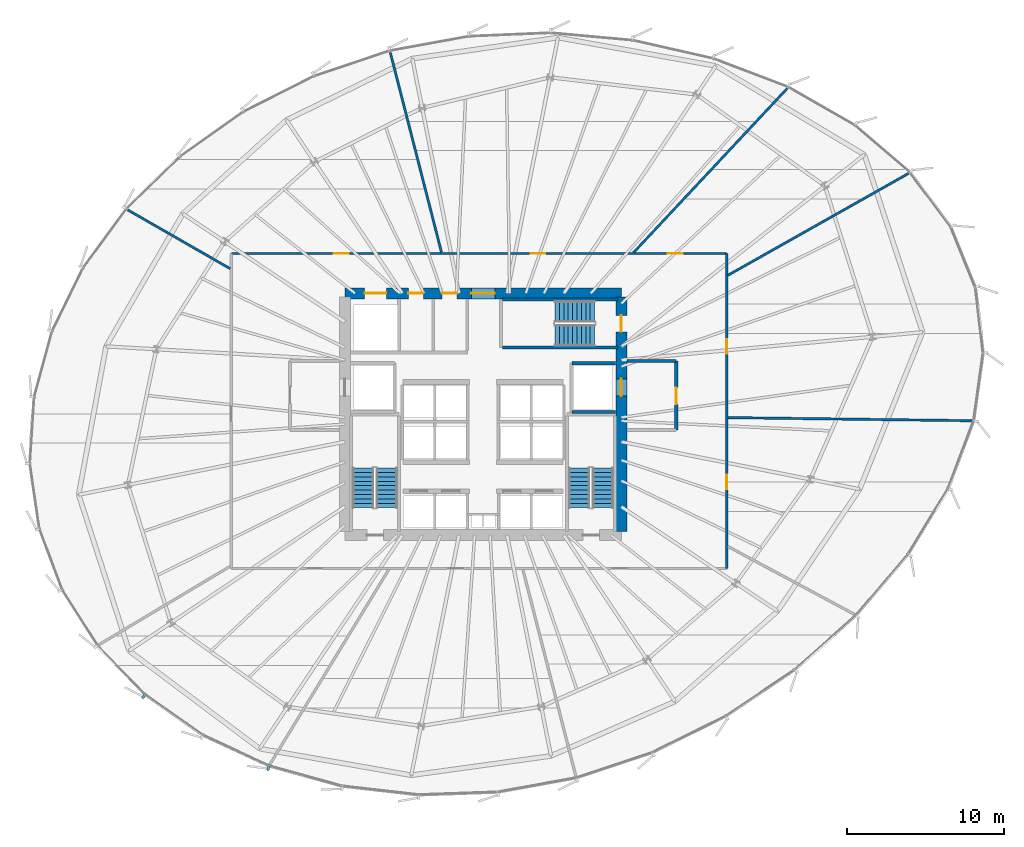
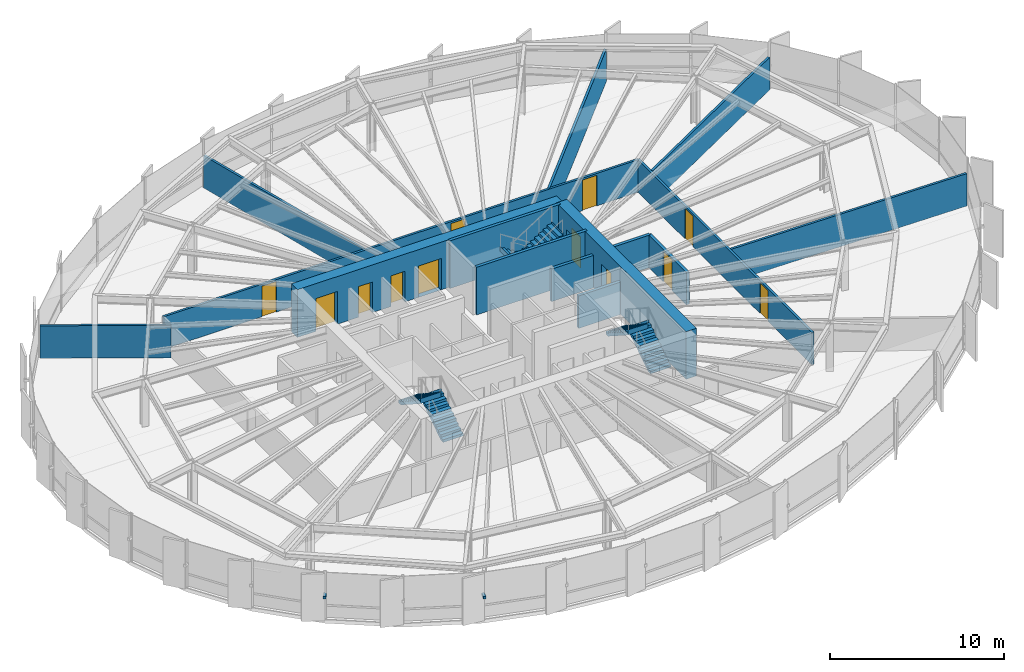
# One storey, part 29 of 35: 15 walls, 12 doors, 6 stair flights, 2 discrete accessories, 12 openings, 3 elements without a shape of their own.
"""IFC4 building model written with IfcOpenShell, lengths in metres."""

import ifcopenshell
import ifcopenshell.guid

model = None  # the IFC model being written
_history = None  # IfcOwnerHistory: only IFC2X3 demands one
_inside = {}  # id of a spatial element -> (the spatial element, [elements in it])
_under = {}  # id of a project, library or spatial element -> (it, [spatial elements below it])
_declared = {}  # id of a project -> (the project, [libraries it declares])
_typed = {}  # id of a type object -> (the type object, [elements of that type])
_made_of = {}  # id of a material, layer set ... -> (it, [elements and type objects made of it])


def new_model(schema):
    """Start an empty IFC model of exactly this schema.

    Asked for "IFC4X3", IfcOpenShell would pick the latest addendum, in which some entities
    have other attributes; the version numbers below select the first issue.
    IFC2X3 requires an IfcOwnerHistory on every rooted entity: one is made here for all.
    """
    global model, _history
    if schema == "IFC4X3":
        model = ifcopenshell.file(schema_version=(4, 3, 0, 0))
    else:
        model = ifcopenshell.file(schema=schema)
    _inside.clear()
    _under.clear()
    _declared.clear()
    _typed.clear()
    _made_of.clear()
    _history = None
    if model.schema == "IFC2X3":
        org = make("IfcOrganization", Name="unknown")
        user = make(
            "IfcPersonAndOrganization",
            ThePerson=make("IfcPerson", FamilyName="unknown"),
            TheOrganization=org,
        )
        app = make(
            "IfcApplication",
            ApplicationDeveloper=org,
            Version="unknown",
            ApplicationFullName="unknown",
            ApplicationIdentifier="unknown",
        )
        _history = make(
            "IfcOwnerHistory",
            OwningUser=user,
            OwningApplication=app,
            ChangeAction="ADDED",
            CreationDate=0,
        )
    return model


def make(cls, **values):
    """One entity of the class cls with the attributes given. An attribute that is None is left unset."""
    return model.create_entity(
        cls, **{name: value for name, value in values.items() if value is not None}
    )


def rooted(cls, **values):
    """An entity with a GlobalId (a new one), such as an element, a storey or a relation."""
    return make(cls, GlobalId=ifcopenshell.guid.new(), OwnerHistory=_history, **values)


def si_unit(unit_type, name, prefix=None):
    """IfcSIUnit, for example si_unit("LENGTHUNIT", "METRE", prefix="MILLI")."""
    return make("IfcSIUnit", UnitType=unit_type, Prefix=prefix, Name=name)


def assignment(units):
    """IfcUnitAssignment: the units of a project."""
    return None if units is None else make("IfcUnitAssignment", Units=units)


def point(xyz):
    """IfcCartesianPoint."""
    return None if xyz is None else make("IfcCartesianPoint", Coordinates=xyz)


def direction(xyz):
    """IfcDirection."""
    return None if xyz is None else make("IfcDirection", DirectionRatios=xyz)


def frame(location, z_axis=None, x_axis=None):
    """IfcAxis2Placement3D, a coordinate frame: its origin and axes. An axis left out is left unset."""
    return make(
        "IfcAxis2Placement3D",
        Location=point(location),
        Axis=direction(z_axis),
        RefDirection=direction(x_axis),
    )


def frame_2d(location, x_axis=None):
    """IfcAxis2Placement2D, a coordinate frame in the plane: its origin and x axis."""
    return make(
        "IfcAxis2Placement2D", Location=point(location), RefDirection=direction(x_axis)
    )


def origin():
    """The frame at (0, 0, 0) with its axes left unset."""
    return frame((0.0, 0.0, 0.0))


def origin_2d():
    """The frame at (0, 0) in the plane with its x axis left unset."""
    return frame_2d((0.0, 0.0))


def place(relative_to, where):
    """IfcLocalPlacement: puts the frame where relative to a parent placement (None: the world)."""
    return make(
        "IfcLocalPlacement", PlacementRelTo=relative_to, RelativePlacement=where
    )


def context(
    kind, dimensions, precision=None, world=None, true_north=None, identifier=None
):
    """IfcGeometricRepresentationContext, for example the 3D "Model" context."""
    return make(
        "IfcGeometricRepresentationContext",
        ContextIdentifier=identifier,
        ContextType=kind,
        CoordinateSpaceDimension=dimensions,
        Precision=precision,
        WorldCoordinateSystem=world,
        TrueNorth=true_north,
    )


def subcontext(parent, identifier, kind, view, scale=None):
    """IfcGeometricRepresentationSubContext, for example "Body" below "Model"."""
    return make(
        "IfcGeometricRepresentationSubContext",
        ContextIdentifier=identifier,
        ContextType=kind,
        ParentContext=parent,
        TargetScale=scale,
        TargetView=view,
    )


def project(units=None, contexts=None):
    """IfcProject with its units and contexts."""
    return rooted(
        "IfcProject",
        Name="project",
        RepresentationContexts=contexts,
        UnitsInContext=assignment(units),
    )


def spatial(cls, under=None, at=None, **own):
    """A site, building, storey or space (cls), placed at a placement, below another one or the project."""
    s = rooted(cls, ObjectPlacement=at, **own)
    if under is not None:
        _under.setdefault(under.id(), (under, []))[1].append(s)
    return s


def polyline(points):
    """IfcPolyline through the points."""
    return make("IfcPolyline", Points=[point(p) for p in points])


def profile(cls, at=None, kind="AREA", **sizes):
    """A parametric profile (cls). Its sizes go by their IFC names, for example OverallWidth=200.0."""
    return make(cls, ProfileType=kind, Position=at, **sizes)


def rectangle(**sizes):
    """IfcRectangleProfileDef."""
    return profile("IfcRectangleProfileDef", **sizes)


def outline(outer, holes=None, kind="AREA"):
    """IfcArbitraryClosedProfileDef: a profile drawn as a closed curve; with holes, ...WithVoids."""
    if holes is None:
        return make("IfcArbitraryClosedProfileDef", ProfileType=kind, OuterCurve=outer)
    return make(
        "IfcArbitraryProfileDefWithVoids",
        ProfileType=kind,
        OuterCurve=outer,
        InnerCurves=holes,
    )


def extrude(swept, where, along, depth):
    """IfcExtrudedAreaSolid: the profile swept, set in the frame where, extruded along a direction by depth."""
    return make(
        "IfcExtrudedAreaSolid",
        SweptArea=swept,
        Position=where,
        ExtrudedDirection=direction(along),
        Depth=depth,
    )


def shape(context_of_items, identifier, shape_type, items):
    """IfcShapeRepresentation: the items that make up one representation, for example the "Body"."""
    return make(
        "IfcShapeRepresentation",
        ContextOfItems=context_of_items,
        RepresentationIdentifier=identifier,
        RepresentationType=shape_type,
        Items=items,
    )


def source(mapping_origin, context_of_items, identifier, shape_type, items):
    """IfcRepresentationMap: a shape defined once, which mapped items show again and again."""
    return make(
        "IfcRepresentationMap",
        MappingOrigin=mapping_origin,
        MappedRepresentation=shape(context_of_items, identifier, shape_type, items),
    )


def transform(
    local_origin,
    x_axis=None,
    y_axis=None,
    z_axis=None,
    scale=None,
    scale2=None,
    scale3=None,
    uniform=True,
):
    """IfcCartesianTransformationOperator3D, or its non-uniform kind. x_axis, y_axis, z_axis: its Axis1, 2, 3."""
    if uniform:
        return make(
            "IfcCartesianTransformationOperator3D",
            Axis1=direction(x_axis),
            Axis2=direction(y_axis),
            LocalOrigin=point(local_origin),
            Scale=scale,
            Axis3=direction(z_axis),
        )
    return make(
        "IfcCartesianTransformationOperator3DnonUniform",
        Axis1=direction(x_axis),
        Axis2=direction(y_axis),
        LocalOrigin=point(local_origin),
        Scale=scale,
        Axis3=direction(z_axis),
        Scale2=scale2,
        Scale3=scale3,
    )


def mapped(mapping_source, mapping_target):
    """IfcMappedItem: shows the shape of a source again, moved by a transform."""
    return make(
        "IfcMappedItem", MappingSource=mapping_source, MappingTarget=mapping_target
    )


def material(Name=None, Category=None):
    """IfcMaterial."""
    return make("IfcMaterial", Name=Name, Category=Category)


def layer(
    of_material, thickness, ventilated=None, Name=None, Category=None, Priority=None
):
    """IfcMaterialLayer: one layer of a wall or slab, of a material (None: an air gap)."""
    return make(
        "IfcMaterialLayer",
        Material=of_material,
        LayerThickness=thickness,
        IsVentilated=ventilated,
        Name=Name,
        Category=Category,
        Priority=Priority,
    )


def layer_set(layers, Name=None):
    """IfcMaterialLayerSet."""
    return make("IfcMaterialLayerSet", MaterialLayers=layers, LayerSetName=Name)


def made_of(thing, what):
    """Note that an element or type object is made of a material, layer set ...; save() writes the relation."""
    if what is not None:
        _made_of.setdefault(what.id(), (what, []))[1].append(thing)
    return thing


def type_object(cls, material=None, **own):
    """A type object (cls), such as IfcWallType, which elements share."""
    return made_of(rooted(cls, **own), material)


def element(
    cls,
    number,
    at=None,
    inside=None,
    cuts=None,
    type_object=None,
    material=None,
    context=None,
    identifier="Body",
    shape_type=None,
    held_by="IfcProductDefinitionShape",
    body=None,
    shapes=None,
    **own,
):
    """One element of the class cls, such as IfcWall. Its Tag is "e" and its number.

    at: its placement. inside: the storey or other place that contains it. cuts: it is an
    opening in that element (IfcRelVoidsElement). A single representation is given by context,
    identifier, shape_type and body (its items); several are given by shapes. held_by: the class
    of the entity that holds the representations. save() writes the other relations.
    """
    e = rooted(cls, Tag="e%d" % number, ObjectPlacement=at, **own)
    if body is not None:
        shapes = [shape(context, identifier, shape_type, body)]
    if shapes is not None:
        e.Representation = make(held_by, Representations=shapes)
    if inside is not None:
        _inside.setdefault(inside.id(), (inside, []))[1].append(e)
    if cuts is not None:
        rooted(
            "IfcRelVoidsElement", RelatingBuildingElement=cuts, RelatedOpeningElement=e
        )
    if type_object is not None:
        _typed.setdefault(type_object.id(), (type_object, []))[1].append(e)
    return made_of(e, material)


def fill(opening, filler):
    """IfcRelFillsElement: the door or window that sits in an opening."""
    return rooted(
        "IfcRelFillsElement",
        RelatingOpeningElement=opening,
        RelatedBuildingElement=filler,
    )


def aggregate(whole, parts):
    """IfcRelAggregates: a whole, such as a stair, and the parts it consists of."""
    return rooted("IfcRelAggregates", RelatingObject=whole, RelatedObjects=parts)


def save(model, path):
    """Write the relations noted so far, then the file.

    IfcRelAggregates (storeys below a building ...), IfcRelContainedInSpatialStructure (elements
    in a storey), IfcRelDefinesByType, IfcRelAssociatesMaterial and IfcRelDeclares: one each for
    every whole, place, type object, material and project.
    """
    for whole, parts in _under.values():
        aggregate(whole, parts)
    for where, things in _inside.values():
        rooted(
            "IfcRelContainedInSpatialStructure",
            RelatedElements=things,
            RelatingStructure=where,
        )
    for kind, things in _typed.values():
        rooted("IfcRelDefinesByType", RelatedObjects=things, RelatingType=kind)
    for what, things in _made_of.values():
        rooted("IfcRelAssociatesMaterial", RelatedObjects=things, RelatingMaterial=what)
    for by, libraries in _declared.values():
        rooted("IfcRelDeclares", RelatingContext=by, RelatedDefinitions=libraries)
    model.write(path)


model = new_model("IFC4")

# Units and contexts
model_context = context("Model", 3, precision=1e-05, world=origin(), true_north=direction((0.0, 1.0)))
body_context = subcontext(model_context, "Body", "Model", "MODEL_VIEW")
ifc_project = project(units=[si_unit("LENGTHUNIT", "METRE"), si_unit("AREAUNIT", "SQUARE_METRE"), si_unit("VOLUMEUNIT", "CUBIC_METRE"), si_unit("PLANEANGLEUNIT", "RADIAN"), si_unit("MASSUNIT", "GRAM", prefix="KILO"), si_unit("THERMODYNAMICTEMPERATUREUNIT", "KELVIN")], contexts=[model_context])

# Site, building, storey
site_placement = place(None, origin())
site = spatial("IfcSite", under=ifc_project, at=site_placement, CompositionType="ELEMENT")
building_placement = place(site_placement, origin())
building = spatial("IfcBuilding", under=site, at=building_placement, Name="Kethvar Cultural Tower", CompositionType="ELEMENT")
storey_placement = place(building_placement, frame((0.0, 0.0, 92.800048828125)))
storey = spatial("IfcBuildingStorey", under=building, at=storey_placement, Name="L22", CompositionType="ELEMENT", Elevation=92.800048828125)

# Wall, openings, doors
ifc_material_1 = material(Name="Concrete C60/75", Category="concrete")
ifc_layer_1 = layer(ifc_material_1, 0.699951171875, Name="Concrete C60/75", Category="concrete")
ifc_layer_set_1 = layer_set([ifc_layer_1], Name="Concrete C60/75 (700 mm)")
wall_type_1 = type_object("IfcWallType", Name="WL-CORE-700", PredefinedType="SHEAR", material=ifc_layer_set_1)
wall_1_placement = place(storey_placement, frame((55.60009765625, 35.5, 0.0), z_axis=(0.0, 0.0, 1.0), x_axis=(-1.0, 0.0, 0.0)))
wall_1 = element("IfcWall", 1, at=wall_1_placement, inside=storey, type_object=wall_type_1, Name="L22 Core Shear Wall N", PredefinedType="SHEAR", context=body_context, shape_type="SweptSolid", body=[
    extrude(rectangle(XDim=17.60009765625, YDim=0.699951171875, at=frame_2d((8.800048828125, 0.0))), origin(), (0.0, 0.0, 1.0), 3.349853515625),
])
opening_1_placement = place(wall_1_placement, frame((8.050048828125, 0.0, 0.0)))
opening_1 = element("IfcOpeningElement", 2, at=opening_1_placement, cuts=wall_1, Name="Opening D-L22-LN", PredefinedType="OPENING", context=body_context, shape_type="SweptSolid", body=[
    extrude(rectangle(XDim=1.5, YDim=2.199951171875, at=frame_2d((0.75, 1.10009765625))), frame((0.0, 0.35986328125, 0.0), z_axis=(0.0, -1.0, 0.0), x_axis=(1.0, 0.0, 0.0)), (0.0, 0.0, 1.0), 0.719970703125),
])
opening_2_placement = place(wall_1_placement, frame((14.949951171875, 0.0, 0.0)))
opening_2 = element("IfcOpeningElement", 3, at=opening_2_placement, cuts=wall_1, Name="Opening LD-G1", PredefinedType="OPENING", context=body_context, shape_type="SweptSolid", body=[
    extrude(rectangle(XDim=1.39990234375, YDim=2.300048828125, at=frame_2d((0.699951171875, 1.14990234375))), frame((0.0, 0.35986328125, 0.0), z_axis=(0.0, -1.0, 0.0), x_axis=(1.0, 0.0, 0.0)), (0.0, 0.0, 1.0), 0.719970703125),
])
opening_3_placement = place(wall_1_placement, frame((12.60009765625, 0.0, 0.0)))
opening_3 = element("IfcOpeningElement", 4, at=opening_3_placement, cuts=wall_1, Name="Opening D-L22-W1", PredefinedType="OPENING", context=body_context, shape_type="SweptSolid", body=[
    extrude(rectangle(XDim=0.949951171875, YDim=2.14990234375, at=frame_2d((0.47509765625, 1.074951171875))), frame((0.0, 0.35986328125, 0.0), z_axis=(0.0, -1.0, 0.0), x_axis=(1.0, 0.0, 0.0)), (0.0, 0.0, 1.0), 0.719970703125),
])
opening_4_placement = place(wall_1_placement, frame((10.449951171875, 0.0, 0.0)))
opening_4 = element("IfcOpeningElement", 5, at=opening_4_placement, cuts=wall_1, Name="Opening D-L22-W2", PredefinedType="OPENING", context=body_context, shape_type="SweptSolid", body=[
    extrude(rectangle(XDim=0.949951171875, YDim=2.14990234375, at=frame_2d((0.47509765625, 1.074951171875))), frame((0.0, 0.35986328125, 0.0), z_axis=(0.0, -1.0, 0.0), x_axis=(1.0, 0.0, 0.0)), (0.0, 0.0, 1.0), 0.719970703125),
])
ifc_material_2 = material(Name="Architectural Oak Timber", Category="wood")
door_type_1 = type_object("IfcDoorType", Name="DR-DBL-FD60-1500", OperationType="DOUBLE_DOOR_SINGLE_SWING", PredefinedType="DOOR", material=ifc_material_2)
shared_shape_1 = source(origin(), body_context, "Body", "SweptSolid", [
    extrude(rectangle(XDim=1.5, YDim=2.199951171875, at=frame_2d((0.75, 1.10009765625))), frame((0.0, 0.02490234375, 0.0), z_axis=(0.0, -1.0, 0.0), x_axis=(1.0, 0.0, 0.0)), (0.0, 0.0, 1.0), 0.050048828125),
])
door_1_placement = place(opening_1_placement, origin())
door_1 = element("IfcDoor", 6, at=door_1_placement, inside=storey, type_object=door_type_1, Name="L22 Lift Lobby Concourse Door", OperationType="DOUBLE_DOOR_SINGLE_SWING", OverallHeight=2.199951171875, OverallWidth=1.5, PredefinedType="DOOR", context=body_context, shape_type="MappedRepresentation", body=[
    mapped(shared_shape_1, transform((0.0, 0.0, 0.0), scale=1.0)),
])
fill(opening_1, door_1)
ifc_material_3 = material(Name="Steel S355J2", Category="steel")
door_type_2 = type_object("IfcDoorType", Name="DR-LIFT-SLIDE-1400", OperationType="NOTDEFINED", PredefinedType="DOOR", material=ifc_material_3)
shared_shape_2 = source(origin(), body_context, "Body", "SweptSolid", [
    extrude(rectangle(XDim=1.39990234375, YDim=2.300048828125, at=frame_2d((0.699951171875, 1.14990234375))), frame((0.0, 0.02490234375, 0.0), z_axis=(0.0, -1.0, 0.0), x_axis=(1.0, 0.0, 0.0)), (0.0, 0.0, 1.0), 0.050048828125),
])
door_2_placement = place(opening_2_placement, origin())
door_2 = element("IfcDoor", 7, at=door_2_placement, inside=storey, type_object=door_type_2, Name="L22 Goods Lift Landing Door", OperationType="SLIDING_TO_RIGHT", OverallHeight=2.300048828125, OverallWidth=1.39990234375, PredefinedType="DOOR", context=body_context, shape_type="MappedRepresentation", body=[
    mapped(shared_shape_2, transform((0.0, 0.0, 0.0), scale=1.0)),
])
fill(opening_2, door_2)
door_type_3 = type_object("IfcDoorType", Name="DR-FD30-950", OperationType="NOTDEFINED", PredefinedType="DOOR", material=ifc_material_2)
shared_shape_3 = source(origin(), body_context, "Body", "SweptSolid", [
    extrude(rectangle(XDim=0.949951171875, YDim=2.14990234375, at=frame_2d((0.47509765625, 1.074951171875))), frame((0.0, 0.02490234375, 0.0), z_axis=(0.0, -1.0, 0.0), x_axis=(1.0, 0.0, 0.0)), (0.0, 0.0, 1.0), 0.050048828125),
])
door_3_placement = place(opening_3_placement, origin())
door_3 = element("IfcDoor", 8, at=door_3_placement, inside=storey, type_object=door_type_3, Name="L22 Accessible Washroom Door", OperationType="SINGLE_SWING_LEFT", OverallHeight=2.14990234375, OverallWidth=0.949951171875, PredefinedType="DOOR", context=body_context, shape_type="MappedRepresentation", body=[
    mapped(shared_shape_3, transform((0.0, 0.0, 0.0), scale=1.0)),
])
fill(opening_3, door_3)
door_4_placement = place(opening_4_placement, origin())
door_4 = element("IfcDoor", 9, at=door_4_placement, inside=storey, type_object=door_type_3, Name="L22 Public Washroom Door", OperationType="SINGLE_SWING_RIGHT", OverallHeight=2.14990234375, OverallWidth=0.949951171875, PredefinedType="DOOR", context=body_context, shape_type="MappedRepresentation", body=[
    mapped(shared_shape_3, transform((0.0, 0.0, 0.0), scale=1.0)),
])
fill(opening_4, door_4)

wall_2_placement = place(storey_placement, frame((55.60009765625, 20.340087890625, 0.0), z_axis=(0.0, 0.0, 1.0), x_axis=(0.0, 1.0, 0.0)))
wall_2 = element("IfcWall", 10, at=wall_2_placement, inside=storey, type_object=wall_type_1, Name="L22 Core Shear Wall E", PredefinedType="SHEAR", context=body_context, shape_type="SweptSolid", body=[
    extrude(rectangle(XDim=14.919921875, YDim=0.699951171875, at=frame_2d((7.4599609375, 0.0))), origin(), (0.0, 0.0, 1.0), 3.349853515625),
])
opening_5_placement = place(wall_2_placement, frame((12.7099609375, 0.0, 0.0)))
opening_5 = element("IfcOpeningElement", 11, at=opening_5_placement, cuts=wall_2, Name="Opening D-L22-S3", PredefinedType="OPENING", context=body_context, shape_type="SweptSolid", body=[
    extrude(rectangle(XDim=1.050048828125, YDim=2.14990234375, at=frame_2d((0.52490234375, 1.074951171875))), frame((0.0, 0.35986328125, 0.0), z_axis=(0.0, -1.0, 0.0), x_axis=(1.0, 0.0, 0.0)), (0.0, 0.0, 1.0), 0.719970703125),
])
opening_6_placement = place(wall_2_placement, frame((8.610107421875, 0.0, 0.0)))
opening_6 = element("IfcOpeningElement", 12, at=opening_6_placement, cuts=wall_2, Name="Opening LD-2", PredefinedType="OPENING", context=body_context, shape_type="SweptSolid", body=[
    extrude(rectangle(XDim=1.10009765625, YDim=2.199951171875, at=frame_2d((0.550048828125, 1.10009765625))), frame((0.0, 0.35986328125, 0.0), z_axis=(0.0, -1.0, 0.0), x_axis=(1.0, 0.0, 0.0)), (0.0, 0.0, 1.0), 0.719970703125),
])
door_type_4 = type_object("IfcDoorType", Name="DR-FD60-1050", OperationType="NOTDEFINED", PredefinedType="DOOR", material=ifc_material_3)
shared_shape_4 = source(origin(), body_context, "Body", "SweptSolid", [
    extrude(rectangle(XDim=1.050048828125, YDim=2.14990234375, at=frame_2d((0.52490234375, 1.074951171875))), frame((0.0, 0.02490234375, 0.0), z_axis=(0.0, -1.0, 0.0), x_axis=(1.0, 0.0, 0.0)), (0.0, 0.0, 1.0), 0.050048828125),
])
door_5_placement = place(opening_5_placement, origin())
door_5 = element("IfcDoor", 13, at=door_5_placement, inside=storey, type_object=door_type_4, Name="L22 Exit Stair 3 Door", OperationType="SINGLE_SWING_LEFT", OverallHeight=2.14990234375, OverallWidth=1.050048828125, PredefinedType="DOOR", context=body_context, shape_type="MappedRepresentation", body=[
    mapped(shared_shape_4, transform((0.0, 0.0, 0.0), scale=1.0)),
])
fill(opening_5, door_5)
door_type_5 = type_object("IfcDoorType", Name="DR-LIFT-SLIDE-1100", OperationType="NOTDEFINED", PredefinedType="DOOR", material=ifc_material_3)
shared_shape_5 = source(origin(), body_context, "Body", "SweptSolid", [
    extrude(rectangle(XDim=1.10009765625, YDim=2.199951171875, at=frame_2d((0.550048828125, 1.10009765625))), frame((0.0, 0.02490234375, 0.0), z_axis=(0.0, -1.0, 0.0), x_axis=(1.0, 0.0, 0.0)), (0.0, 0.0, 1.0), 0.050048828125),
])
door_6_placement = place(opening_6_placement, origin())
door_6 = element("IfcDoor", 14, at=door_6_placement, inside=storey, type_object=door_type_5, Name="L22 Firefighting Lift Landing Door FFL-02", OperationType="SLIDING_TO_RIGHT", OverallHeight=2.199951171875, OverallWidth=1.10009765625, PredefinedType="DOOR", context=body_context, shape_type="MappedRepresentation", body=[
    mapped(shared_shape_5, transform((0.0, 0.0, 0.0), scale=1.0)),
])
fill(opening_6, door_6)

ifc_material_4 = material(Name="Gypsum Fireboard Partition")
ifc_layer_2 = layer(ifc_material_4, 0.14990234375, Name="Gypsum Fireboard Partition")
ifc_layer_set_2 = layer_set([ifc_layer_2], Name="Gypsum Fireboard Partition (150 mm)")
wall_type_2 = type_object("IfcWallType", Name="WL-FIRE-150", PredefinedType="PARTITIONING", material=ifc_layer_set_2)
wall_3_placement = place(storey_placement, frame((62.31005859375, 17.97998046875, 0.0), z_axis=(0.0, 0.0, 1.0), x_axis=(0.0, 1.0, 0.0)))
wall_3 = element("IfcWall", 15, at=wall_3_placement, inside=storey, type_object=wall_type_2, Name="L22 Corridor Rated Wall E", PredefinedType="PARTITIONING", context=body_context, shape_type="SweptSolid", body=[
    extrude(rectangle(XDim=20.06005859375, YDim=0.14990234375, at=frame_2d((10.030029296875, 0.0))), origin(), (0.0, 0.0, 1.0), 2.280029296875),
])
opening_7_placement = place(wall_3_placement, frame((5.032958984375, 0.0, 0.0)))
opening_7 = element("IfcOpeningElement", 16, at=opening_7_placement, cuts=wall_3, Name="Opening D-L22-04", PredefinedType="OPENING", context=body_context, shape_type="SweptSolid", body=[
    extrude(rectangle(XDim=0.949951171875, YDim=2.14990234375, at=frame_2d((0.47509765625, 1.074951171875))), frame((0.0, 0.0849609375, 0.0), z_axis=(0.0, -1.0, 0.0), x_axis=(1.0, 0.0, 0.0)), (0.0, 0.0, 1.0), 0.169921875),
])
opening_8_placement = place(wall_3_placement, frame((13.662353515625, 0.0, 0.0)))
opening_8 = element("IfcOpeningElement", 17, at=opening_8_placement, cuts=wall_3, Name="Opening D-L22-05", PredefinedType="OPENING", context=body_context, shape_type="SweptSolid", body=[
    extrude(rectangle(XDim=0.949951171875, YDim=2.14990234375, at=frame_2d((0.47509765625, 1.074951171875))), frame((0.0, 0.0849609375, 0.0), z_axis=(0.0, -1.0, 0.0), x_axis=(1.0, 0.0, 0.0)), (0.0, 0.0, 1.0), 0.169921875),
])
door_7_placement = place(opening_7_placement, origin())
door_7 = element("IfcDoor", 18, at=door_7_placement, inside=storey, type_object=door_type_3, Name="L22 Policy Research Workspace 04 Door", OperationType="SINGLE_SWING_RIGHT", OverallHeight=2.14990234375, OverallWidth=0.949951171875, PredefinedType="DOOR", context=body_context, shape_type="MappedRepresentation", body=[
    mapped(shared_shape_3, transform((0.0, 0.0, 0.0), scale=1.0)),
])
fill(opening_7, door_7)
door_8_placement = place(opening_8_placement, origin())
door_8 = element("IfcDoor", 19, at=door_8_placement, inside=storey, type_object=door_type_3, Name="L22 Fellows' Study Workspace 05 Door", OperationType="SINGLE_SWING_LEFT", OverallHeight=2.14990234375, OverallWidth=0.949951171875, PredefinedType="DOOR", context=body_context, shape_type="MappedRepresentation", body=[
    mapped(shared_shape_3, transform((0.0, 0.0, 0.0), scale=1.0)),
])
fill(opening_8, door_8)

wall_4_placement = place(storey_placement, frame((62.31005859375, 38.0400390625, 0.0), z_axis=(0.0, 0.0, 1.0), x_axis=(-1.0, 0.0, 0.0)))
wall_4 = element("IfcWall", 20, at=wall_4_placement, inside=storey, type_object=wall_type_2, Name="L22 Corridor Rated Wall N", PredefinedType="PARTITIONING", context=body_context, shape_type="SweptSolid", body=[
    extrude(rectangle(XDim=31.5400390625, YDim=0.14990234375, at=frame_2d((15.77001953125, 0.0))), origin(), (0.0, 0.0, 1.0), 2.280029296875),
])
opening_9_placement = place(wall_4_placement, frame((2.8046875, 0.0, 0.0)))
opening_9 = element("IfcOpeningElement", 21, at=opening_9_placement, cuts=wall_4, Name="Opening D-L22-06", PredefinedType="OPENING", context=body_context, shape_type="SweptSolid", body=[
    extrude(rectangle(XDim=0.949951171875, YDim=2.14990234375, at=frame_2d((0.47509765625, 1.074951171875))), frame((0.0, 0.0849609375, 0.0), z_axis=(0.0, -1.0, 0.0), x_axis=(1.0, 0.0, 0.0)), (0.0, 0.0, 1.0), 0.169921875),
])
opening_10_placement = place(wall_4_placement, frame((11.537841796875, 0.0, 0.0)))
opening_10 = element("IfcOpeningElement", 22, at=opening_10_placement, cuts=wall_4, Name="Opening D-L22-07", PredefinedType="OPENING", context=body_context, shape_type="SweptSolid", body=[
    extrude(rectangle(XDim=0.949951171875, YDim=2.14990234375, at=frame_2d((0.47509765625, 1.074951171875))), frame((0.0, 0.0849609375, 0.0), z_axis=(0.0, -1.0, 0.0), x_axis=(1.0, 0.0, 0.0)), (0.0, 0.0, 1.0), 0.169921875),
])
opening_11_placement = place(wall_4_placement, frame((24.07470703125, 0.0, 0.0)))
opening_11 = element("IfcOpeningElement", 23, at=opening_11_placement, cuts=wall_4, Name="Opening D-L22-08", PredefinedType="OPENING", context=body_context, shape_type="SweptSolid", body=[
    extrude(rectangle(XDim=0.949951171875, YDim=2.14990234375, at=frame_2d((0.47509765625, 1.074951171875))), frame((0.0, 0.0849609375, 0.0), z_axis=(0.0, -1.0, 0.0), x_axis=(1.0, 0.0, 0.0)), (0.0, 0.0, 1.0), 0.169921875),
])
door_9_placement = place(opening_9_placement, origin())
door_9 = element("IfcDoor", 24, at=door_9_placement, inside=storey, type_object=door_type_3, Name="L22 Decorative Arts Craft Workshop 06 Door", OperationType="SINGLE_SWING_RIGHT", OverallHeight=2.14990234375, OverallWidth=0.949951171875, PredefinedType="DOOR", context=body_context, shape_type="MappedRepresentation", body=[
    mapped(shared_shape_3, transform((0.0, 0.0, 0.0), scale=1.0)),
])
fill(opening_9, door_9)
door_10_placement = place(opening_10_placement, origin())
door_10 = element("IfcDoor", 25, at=door_10_placement, inside=storey, type_object=door_type_3, Name="L22 Members' Refreshment Kitchenette 07 Door", OperationType="SINGLE_SWING_LEFT", OverallHeight=2.14990234375, OverallWidth=0.949951171875, PredefinedType="DOOR", context=body_context, shape_type="MappedRepresentation", body=[
    mapped(shared_shape_3, transform((0.0, 0.0, 0.0), scale=1.0)),
])
fill(opening_10, door_10)
door_11_placement = place(opening_11_placement, origin())
door_11 = element("IfcDoor", 26, at=door_11_placement, inside=storey, type_object=door_type_3, Name="L22 Design Review Boardroom 08 Door", OperationType="SINGLE_SWING_RIGHT", OverallHeight=2.14990234375, OverallWidth=0.949951171875, PredefinedType="DOOR", context=body_context, shape_type="MappedRepresentation", body=[
    mapped(shared_shape_3, transform((0.0, 0.0, 0.0), scale=1.0)),
])
fill(opening_11, door_11)

# Walls
ifc_material_5 = material(Name="Concrete C40/50", Category="concrete")
ifc_layer_3 = layer(ifc_material_5, 0.199951171875, Name="Concrete C40/50", Category="concrete")
ifc_layer_set_3 = layer_set([ifc_layer_3], Name="Concrete C40/50 (200 mm)")
wall_type_3 = type_object("IfcWallType", Name="WL-FIRE-200", PredefinedType="PARTITIONING", material=ifc_layer_set_3)
for number, where, z_axis, x_axis, name in (
    (27, (52.449951171875, 27.949951171875, 0.0), (0.0, 0.0, 1.0), (1.0, 0.0, 0.0), "L22 FFL-02 Shaft South Wall"),
    (28, (52.449951171875, 31.050048828125, 0.0), (0.0, 0.0, 1.0), (1.0, 0.0, 0.0), "L22 FFL-02 Shaft North Wall"),
):
    element("IfcWall", number, at=place(storey_placement, frame(where, z_axis=z_axis, x_axis=x_axis)), inside=storey, type_object=wall_type_3, Name=name, PredefinedType="PARTITIONING", context=body_context, shape_type="SweptSolid", body=[
        extrude(rectangle(XDim=2.7900390625, YDim=0.199951171875, at=frame_2d((1.39501953125, 0.0))), origin(), (0.0, 0.0, 1.0), 2.280029296875),
    ])

# Wall, opening, door
wall_5_placement = place(storey_placement, frame((59.10009765625, 26.800048828125, 0.0), z_axis=(0.0, 0.0, 1.0), x_axis=(0.0, 1.0, 0.0)))
wall_5 = element("IfcWall", 29, at=wall_5_placement, inside=storey, type_object=wall_type_3, Name="L22 Firefighting Lobby 2 Wall", PredefinedType="PARTITIONING", context=body_context, shape_type="SweptSolid", body=[
    extrude(rectangle(XDim=4.39990234375, YDim=0.199951171875, at=frame_2d((2.199951171875, 0.0))), origin(), (0.0, 0.0, 1.0), 2.280029296875),
])
opening_12_placement = place(wall_5_placement, frame((1.64990234375, 0.0, 0.0)))
opening_12 = element("IfcOpeningElement", 30, at=opening_12_placement, cuts=wall_5, Name="Opening D-L22-F2", PredefinedType="OPENING", context=body_context, shape_type="SweptSolid", body=[
    extrude(rectangle(XDim=1.050048828125, YDim=2.14990234375, at=frame_2d((0.52490234375, 1.074951171875))), frame((0.0, 0.10986328125, 0.0), z_axis=(0.0, -1.0, 0.0), x_axis=(1.0, 0.0, 0.0)), (0.0, 0.0, 1.0), 0.219970703125),
])
door_12_placement = place(opening_12_placement, origin())
door_12 = element("IfcDoor", 31, at=door_12_placement, inside=storey, type_object=door_type_4, Name="L22 Firefighting Lobby 2 Fire Door", OperationType="SINGLE_SWING_LEFT", OverallHeight=2.14990234375, OverallWidth=1.050048828125, PredefinedType="DOOR", context=body_context, shape_type="MappedRepresentation", body=[
    mapped(shared_shape_4, transform((0.0, 0.0, 0.0), scale=1.0)),
])
fill(opening_12, door_12)

# Walls
wall_6_placement = place(storey_placement, frame((55.9599609375, 31.199951171875, 0.0), z_axis=(0.0, 0.0, 1.0), x_axis=(1.0, 0.0, 0.0)))
element("IfcWall", 32, at=wall_6_placement, inside=storey, type_object=wall_type_3, Name="L22 FF Lobby 2 North Wall", PredefinedType="PARTITIONING", context=body_context, shape_type="SweptSolid", body=[
    extrude(rectangle(XDim=3.14013671875, YDim=0.199951171875, at=frame_2d((1.570068359375, 0.0))), origin(), (0.0, 0.0, 1.0), 2.280029296875),
])
ifc_material_6 = material(Name="Gypsum Acoustic Partition")
ifc_layer_4 = layer(ifc_material_6, 0.14990234375, Name="Gypsum Acoustic Partition")
ifc_layer_set_4 = layer_set([ifc_layer_4], Name="Gypsum Acoustic Partition (150 mm)")
wall_type_4 = type_object("IfcWallType", Name="WL-PART-150", PredefinedType="PARTITIONING", material=ifc_layer_set_4)
wall_7_placement = place(storey_placement, frame((62.389892578125, 27.58740234375, 0.0), z_axis=(0.0, 0.0, 1.0), x_axis=(0.999918782689, -0.012744725404, 0.0)))
element("IfcWall", 33, at=wall_7_placement, inside=storey, type_object=wall_type_4, Name="L22 Radial Partition Wall 05", PredefinedType="PARTITIONING", context=body_context, shape_type="SweptSolid", body=[
    extrude(rectangle(XDim=15.53564453125, YDim=0.14990234375, at=frame_2d((7.767822265625, 0.0))), origin(), (0.0, 0.0, 1.0), 2.280029296875),
])
wall_8_placement = place(storey_placement, frame((62.379638671875, 36.643798828125, 0.0), z_axis=(0.0, 0.0, 1.0), x_axis=(0.871087274925, 0.491128251543, 0.0)))
element("IfcWall", 34, at=wall_8_placement, inside=storey, type_object=wall_type_4, Name="L22 Radial Partition Wall 06", PredefinedType="PARTITIONING", context=body_context, shape_type="SweptSolid", body=[
    extrude(rectangle(XDim=13.218505859375, YDim=0.14990234375, at=frame_2d((6.609375, 0.0))), origin(), (0.0, 0.0, 1.0), 2.280029296875),
])
wall_9_placement = place(storey_placement, frame((56.385009765625, 38.098388671875, 0.0), z_axis=(0.0, 0.0, 1.0), x_axis=(0.683464906362, 0.729983370887, 0.0)))
element("IfcWall", 35, at=wall_9_placement, inside=storey, type_object=wall_type_4, Name="L22 Radial Partition Wall 07", PredefinedType="PARTITIONING", context=body_context, shape_type="SweptSolid", body=[
    extrude(rectangle(XDim=14.31201171875, YDim=0.14990234375, at=frame_2d((7.156005859375, 0.0))), origin(), (0.0, 0.0, 1.0), 2.280029296875),
])
wall_10_placement = place(storey_placement, frame((44.15087890625, 38.117431640625, 0.0), z_axis=(0.0, 0.0, 1.0), x_axis=(-0.248096639945, 0.9687352875, 0.0)))
element("IfcWall", 36, at=wall_10_placement, inside=storey, type_object=wall_type_4, Name="L22 Radial Partition Wall 08", PredefinedType="PARTITIONING", context=body_context, shape_type="SweptSolid", body=[
    extrude(rectangle(XDim=13.130126953125, YDim=0.14990234375, at=frame_2d((6.56494140625, 0.0))), origin(), (0.0, 0.0, 1.0), 2.280029296875),
])
wall_11_placement = place(storey_placement, frame((30.70068359375, 37.069580078125, 0.0), z_axis=(0.0, 0.0, 1.0), x_axis=(-0.86743826156, 0.497544834545, 0.0)))
element("IfcWall", 37, at=wall_11_placement, inside=storey, type_object=wall_type_4, Name="L22 Radial Partition Wall 09", PredefinedType="PARTITIONING", context=body_context, shape_type="SweptSolid", body=[
    extrude(rectangle(XDim=7.514404296875, YDim=0.14990234375, at=frame_2d((3.75732421875, 0.0))), origin(), (0.0, 0.0, 1.0), 2.280029296875),
])
ifc_material_7 = material(Name="Concrete C50/60", Category="concrete")
ifc_layer_5 = layer(ifc_material_7, 0.199951171875, Name="Concrete C50/60", Category="concrete")
ifc_layer_set_5 = layer_set([ifc_layer_5], Name="Concrete C50/60 (200 mm)")
wall_type_5 = type_object("IfcWallType", Name="WL-STSHAFT-200", PredefinedType="SHEAR", material=ifc_layer_set_5)
for number, where, z_axis, x_axis, name in (
    (38, (48.050048828125, 35.110107421875, 0.0), (0.0, 0.0, 1.0), (1.0, 0.0, 0.0), "L22 ST-03 Stair Shaft Wall LEFT"),
    (39, (55.39990234375, 32.050048828125, 0.0), (0.0, 0.0, 1.0), (-1.0, 0.0, 0.0), "L22 ST-03 Stair Shaft Wall RIGHT"),
):
    element("IfcWall", number, at=place(storey_placement, frame(where, z_axis=z_axis, x_axis=x_axis)), inside=storey, type_object=wall_type_5, Name=name, PredefinedType="SHEAR", context=body_context, shape_type="SweptSolid", body=[
        extrude(rectangle(XDim=7.349853515625, YDim=0.199951171875, at=frame_2d((3.6748046875, 0.0))), origin(), (0.0, 0.0, 1.0), 3.349853515625),
    ])

# Stair, stair flights
stair_type = type_object("IfcStairType", Name="ST-DOGLEG-135", PredefinedType="HALF_TURN_STAIR", material=ifc_material_5)
stair_1_placement = place(storey_placement, origin())
stair_1 = element("IfcStair", 40, at=stair_1_placement, inside=storey, type_object=stair_type, Name="L22 Core Exit Stair 1", PredefinedType="HALF_TURN_STAIR")
stair_flight_type = type_object("IfcStairFlightType", Name="FL-STRAIGHT-135", PredefinedType="STRAIGHT", material=ifc_material_5)
stair_flight_1_placement = place(storey_placement, frame((40.675048828125, 21.85009765625, 0.0), z_axis=(0.0, 0.0, 1.0), x_axis=(0.0, 1.0, 0.0)))
stair_flight_1 = element("IfcStairFlight", 41, at=stair_flight_1_placement, type_object=stair_flight_type, Name="ST-01 flight 1", NumberOfRisers=10, NumberOfTreads=9, PredefinedType="STRAIGHT", RiserHeight=0.18, TreadLength=0.28, context=body_context, shape_type="SweptSolid", body=[
    extrude(outline(polyline([(-0.0009765625, -0.0009765625), (-0.0009765625, 0.179931640625), (0.280029296875, 0.179931640625), (0.280029296875, 0.360107421875), (0.56005859375, 0.360107421875), (0.56005859375, 0.5400390625), (0.840087890625, 0.5400390625), (0.840087890625, 0.719970703125), (1.1201171875, 0.719970703125), (1.1201171875, 0.89990234375), (1.39990234375, 0.89990234375), (1.39990234375, 1.080078125), (1.679931640625, 1.080078125), (1.679931640625, 1.260009765625), (1.9599609375, 1.260009765625), (1.9599609375, 1.43994140625), (2.239990234375, 1.43994140625), (2.239990234375, 1.6201171875), (2.52001953125, 1.6201171875), (2.52001953125, 1.800048828125), (2.52099609375, 1.800048828125), (2.52099609375, 1.44189453125), (0.277099609375, 0.0), (0.0, -0.0009765625), (-0.0009765625, -0.0009765625)])), frame((0.0, 0.675048828125, 0.0), z_axis=(0.0, -1.0, 0.0), x_axis=(1.0, 0.0, 0.0)), (0.0, 0.0, 1.0), 1.35009765625),
])
stair_flight_2_placement = place(storey_placement, frame((39.1650390625, 24.3701171875, 1.800048828125), z_axis=(0.0, 0.0, 1.0), x_axis=(0.0, -1.0, 0.0)))
stair_flight_2 = element("IfcStairFlight", 42, at=stair_flight_2_placement, type_object=stair_flight_type, Name="ST-01 flight 2", NumberOfRisers=10, NumberOfTreads=9, PredefinedType="STRAIGHT", RiserHeight=0.18, TreadLength=0.28, context=body_context, shape_type="SweptSolid", body=[
    extrude(outline(polyline([(-0.0009765625, -0.0009765625), (-0.0009765625, 0.179931640625), (0.280029296875, 0.179931640625), (0.280029296875, 0.360107421875), (0.56005859375, 0.360107421875), (0.56005859375, 0.5400390625), (0.840087890625, 0.5400390625), (0.840087890625, 0.719970703125), (1.1201171875, 0.719970703125), (1.1201171875, 0.89990234375), (1.39990234375, 0.89990234375), (1.39990234375, 1.080078125), (1.679931640625, 1.080078125), (1.679931640625, 1.260009765625), (1.9599609375, 1.260009765625), (1.9599609375, 1.43994140625), (2.239990234375, 1.43994140625), (2.239990234375, 1.6201171875), (2.52001953125, 1.6201171875), (2.52001953125, 1.800048828125), (2.52099609375, 1.800048828125), (2.52099609375, 1.44189453125), (0.277099609375, 0.0), (0.0, -0.0009765625), (-0.0009765625, -0.0009765625)])), frame((0.0, 0.675048828125, 0.0), z_axis=(0.0, -1.0, 0.0), x_axis=(1.0, 0.0, 0.0)), (0.0, 0.0, 1.0), 1.35009765625),
])
aggregate(stair_1, [stair_flight_1, stair_flight_2])

stair_2_placement = place(storey_placement, origin())
stair_2 = element("IfcStair", 43, at=stair_2_placement, inside=storey, type_object=stair_type, Name="L22 Core Exit Stair 2", PredefinedType="HALF_TURN_STAIR")
stair_flight_3_placement = place(storey_placement, frame((54.43505859375, 21.85009765625, 0.0), z_axis=(0.0, 0.0, 1.0), x_axis=(0.0, 1.0, 0.0)))
stair_flight_3 = element("IfcStairFlight", 44, at=stair_flight_3_placement, type_object=stair_flight_type, Name="ST-02 flight 1", NumberOfRisers=10, NumberOfTreads=9, PredefinedType="STRAIGHT", RiserHeight=0.18, TreadLength=0.28, context=body_context, shape_type="SweptSolid", body=[
    extrude(outline(polyline([(-0.0009765625, -0.0009765625), (-0.0009765625, 0.179931640625), (0.280029296875, 0.179931640625), (0.280029296875, 0.360107421875), (0.56005859375, 0.360107421875), (0.56005859375, 0.5400390625), (0.840087890625, 0.5400390625), (0.840087890625, 0.719970703125), (1.1201171875, 0.719970703125), (1.1201171875, 0.89990234375), (1.39990234375, 0.89990234375), (1.39990234375, 1.080078125), (1.679931640625, 1.080078125), (1.679931640625, 1.260009765625), (1.9599609375, 1.260009765625), (1.9599609375, 1.43994140625), (2.239990234375, 1.43994140625), (2.239990234375, 1.6201171875), (2.52001953125, 1.6201171875), (2.52001953125, 1.800048828125), (2.52099609375, 1.800048828125), (2.52099609375, 1.44189453125), (0.277099609375, 0.0), (0.0, -0.0009765625), (-0.0009765625, -0.0009765625)])), frame((0.0, 0.675048828125, 0.0), z_axis=(0.0, -1.0, 0.0), x_axis=(1.0, 0.0, 0.0)), (0.0, 0.0, 1.0), 1.35009765625),
])
stair_flight_4_placement = place(storey_placement, frame((52.925048828125, 24.3701171875, 1.800048828125), z_axis=(0.0, 0.0, 1.0), x_axis=(0.0, -1.0, 0.0)))
stair_flight_4 = element("IfcStairFlight", 45, at=stair_flight_4_placement, type_object=stair_flight_type, Name="ST-02 flight 2", NumberOfRisers=10, NumberOfTreads=9, PredefinedType="STRAIGHT", RiserHeight=0.18, TreadLength=0.28, context=body_context, shape_type="SweptSolid", body=[
    extrude(outline(polyline([(-0.0009765625, -0.0009765625), (-0.0009765625, 0.179931640625), (0.280029296875, 0.179931640625), (0.280029296875, 0.360107421875), (0.56005859375, 0.360107421875), (0.56005859375, 0.5400390625), (0.840087890625, 0.5400390625), (0.840087890625, 0.719970703125), (1.1201171875, 0.719970703125), (1.1201171875, 0.89990234375), (1.39990234375, 0.89990234375), (1.39990234375, 1.080078125), (1.679931640625, 1.080078125), (1.679931640625, 1.260009765625), (1.9599609375, 1.260009765625), (1.9599609375, 1.43994140625), (2.239990234375, 1.43994140625), (2.239990234375, 1.6201171875), (2.52001953125, 1.6201171875), (2.52001953125, 1.800048828125), (2.52099609375, 1.800048828125), (2.52099609375, 1.44189453125), (0.277099609375, 0.0), (0.0, -0.0009765625), (-0.0009765625, -0.0009765625)])), frame((0.0, 0.675048828125, 0.0), z_axis=(0.0, -1.0, 0.0), x_axis=(1.0, 0.0, 0.0)), (0.0, 0.0, 1.0), 1.35009765625),
])
aggregate(stair_2, [stair_flight_3, stair_flight_4])

stair_3_placement = place(storey_placement, origin())
stair_3 = element("IfcStair", 46, at=stair_3_placement, inside=storey, type_object=stair_type, Name="L22 Core Exit Stair 3", PredefinedType="HALF_TURN_STAIR")
stair_flight_5_placement = place(storey_placement, frame((53.89990234375, 34.3349609375, 0.0), z_axis=(0.0, 0.0, 1.0), x_axis=(-1.0, 0.0, 0.0)))
stair_flight_5 = element("IfcStairFlight", 47, at=stair_flight_5_placement, type_object=stair_flight_type, Name="ST-03 flight 1", NumberOfRisers=10, NumberOfTreads=9, PredefinedType="STRAIGHT", RiserHeight=0.18, TreadLength=0.28, context=body_context, shape_type="SweptSolid", body=[
    extrude(outline(polyline([(-0.0009765625, -0.0009765625), (-0.0009765625, 0.179931640625), (0.280029296875, 0.179931640625), (0.280029296875, 0.360107421875), (0.56005859375, 0.360107421875), (0.56005859375, 0.5400390625), (0.840087890625, 0.5400390625), (0.840087890625, 0.719970703125), (1.1201171875, 0.719970703125), (1.1201171875, 0.89990234375), (1.39990234375, 0.89990234375), (1.39990234375, 1.080078125), (1.679931640625, 1.080078125), (1.679931640625, 1.260009765625), (1.9599609375, 1.260009765625), (1.9599609375, 1.43994140625), (2.239990234375, 1.43994140625), (2.239990234375, 1.6201171875), (2.52001953125, 1.6201171875), (2.52001953125, 1.800048828125), (2.52099609375, 1.800048828125), (2.52099609375, 1.44189453125), (0.277099609375, 0.0), (0.0, -0.0009765625), (-0.0009765625, -0.0009765625)])), frame((0.0, 0.675048828125, 0.0), z_axis=(0.0, -1.0, 0.0), x_axis=(1.0, 0.0, 0.0)), (0.0, 0.0, 1.0), 1.35009765625),
])
stair_flight_6_placement = place(storey_placement, frame((51.3798828125, 32.824951171875, 1.800048828125), z_axis=(0.0, 0.0, 1.0), x_axis=(1.0, 0.0, 0.0)))
stair_flight_6 = element("IfcStairFlight", 48, at=stair_flight_6_placement, type_object=stair_flight_type, Name="ST-03 flight 2", NumberOfRisers=10, NumberOfTreads=9, PredefinedType="STRAIGHT", RiserHeight=0.18, TreadLength=0.28, context=body_context, shape_type="SweptSolid", body=[
    extrude(outline(polyline([(-0.0009765625, -0.0009765625), (-0.0009765625, 0.179931640625), (0.280029296875, 0.179931640625), (0.280029296875, 0.360107421875), (0.56005859375, 0.360107421875), (0.56005859375, 0.5400390625), (0.840087890625, 0.5400390625), (0.840087890625, 0.719970703125), (1.1201171875, 0.719970703125), (1.1201171875, 0.89990234375), (1.39990234375, 0.89990234375), (1.39990234375, 1.080078125), (1.679931640625, 1.080078125), (1.679931640625, 1.260009765625), (1.9599609375, 1.260009765625), (1.9599609375, 1.43994140625), (2.239990234375, 1.43994140625), (2.239990234375, 1.6201171875), (2.52001953125, 1.6201171875), (2.52001953125, 1.800048828125), (2.52099609375, 1.800048828125), (2.52099609375, 1.44189453125), (0.277099609375, 0.0), (0.0, -0.0009765625), (-0.0009765625, -0.0009765625)])), frame((0.0, 0.675048828125, 0.0), z_axis=(0.0, -1.0, 0.0), x_axis=(1.0, 0.0, 0.0)), (0.0, 0.0, 1.0), 1.35009765625),
])
aggregate(stair_3, [stair_flight_5, stair_flight_6])

# Discrete accessories
discrete_accessory_type = type_object("IfcDiscreteAccessoryType", Name="Steel Fin Bracket BRK-01", PredefinedType="BRACKET", material=ifc_material_3)
shared_shape_6 = source(origin(), body_context, "Body", "SweptSolid", [
    extrude(rectangle(XDim=0.3798828125, YDim=0.159912109375, at=origin_2d()), origin(), (0.0, 0.0, 1.0), 0.179931640625),
])
for number, where, z_axis, x_axis, name in (
    (49, (25.218994140625, 9.862060546875, 1.5849609375), (0.0, 0.0, 1.0), (-0.575005252043, -0.818149717425, 0.0), "L22 Terracotta Fin Bracket 4.4"),
    (50, (33.14111328125, 5.301025390625, 1.5849609375), (0.0, 0.0, 1.0), (-0.266565570041, -0.963816785945, 0.0), "L22 Terracotta Fin Bracket 4.6"),
):
    element("IfcDiscreteAccessory", number, at=place(storey_placement, frame(where, z_axis=z_axis, x_axis=x_axis)), inside=storey, type_object=discrete_accessory_type, Name=name, PredefinedType="BRACKET", context=body_context, shape_type="MappedRepresentation", body=[
        mapped(shared_shape_6, transform((0.0, 0.0, 0.0), scale=1.0)),
    ])

save(model, "model.ifc")
